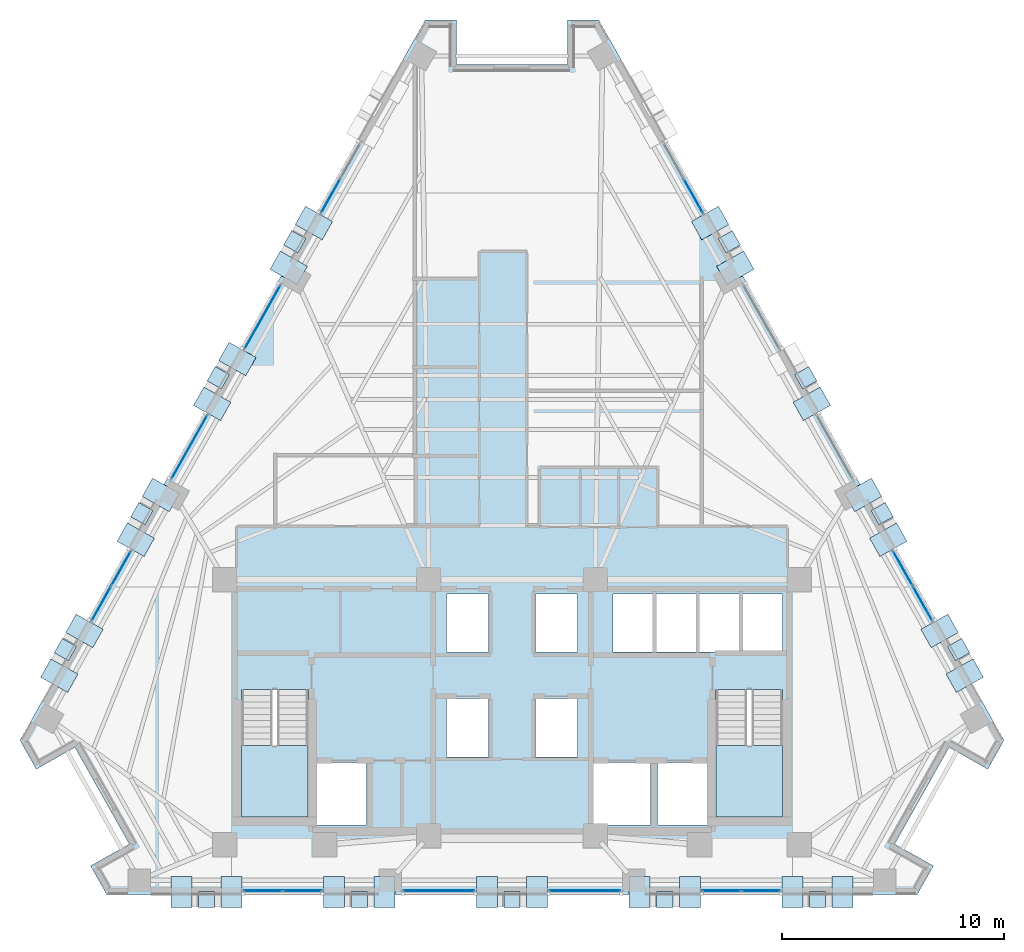
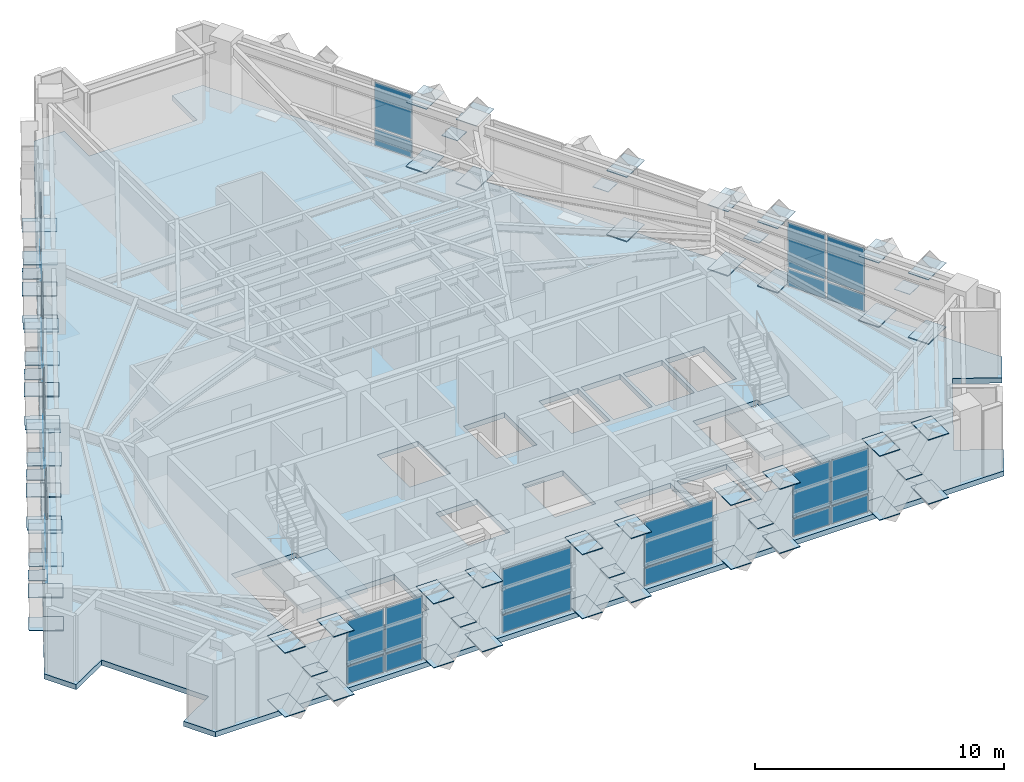
# One storey, part 6 of 14: 91 plates, 3 slabs, 12 elements without a shape of their own.
"""IFC4 building model written with IfcOpenShell, lengths in metres."""

from ifc_helpers import new_model, si_unit, direction, frame, origin, origin_2d, place, context, subcontext, project, spatial, polyline, rectangle, outline, extrude, material, layer, layer_set, type_object, element, aggregate, save


model = new_model("IFC4")

# Units and contexts
model_context = context("Model", 3, precision=1e-05, world=origin(), true_north=direction((0.0, 1.0)))
body_context = subcontext(model_context, "Body", "Model", "MODEL_VIEW")
ifc_project = project(units=[si_unit("LENGTHUNIT", "METRE"), si_unit("AREAUNIT", "SQUARE_METRE"), si_unit("VOLUMEUNIT", "CUBIC_METRE"), si_unit("PLANEANGLEUNIT", "RADIAN"), si_unit("MASSUNIT", "GRAM", prefix="KILO")], contexts=[model_context])

# Site, building, storey
site_placement = place(None, origin())
site = spatial("IfcSite", under=ifc_project, at=site_placement, CompositionType="ELEMENT")
building_placement = place(site_placement, origin())
building = spatial("IfcBuilding", under=site, at=building_placement, Name="Quenlor Broadcast Tower", CompositionType="ELEMENT")
storey_placement = place(building_placement, frame((0.0, 0.0, 144.0)))
storey = spatial("IfcBuildingStorey", under=building, at=storey_placement, Name="L39", CompositionType="ELEMENT", Elevation=144.0)

# Curtain wall, plates
ifc_material_1 = material(Name="Architectural Terracotta and Low-E Glazing", Category="masonry")
curtain_wall_type = type_object("IfcCurtainWallType", Name="Unitised Terracotta Curtain Wall System Z3", PredefinedType="NOTDEFINED", material=ifc_material_1)
curtain_wall_1_placement = place(storey_placement, origin())
curtain_wall_1 = element("IfcCurtainWall", 1, at=curtain_wall_1_placement, inside=storey, type_object=curtain_wall_type, Name="L39 Curtain Wall CW3 (L39-SA-G1)", PredefinedType="NOTDEFINED")
ifc_material_2 = material(Name="Double Glazed Low-E Solar Glass", Category="glass")
ifc_layer_1 = layer(ifc_material_2, 0.028076171875)
ifc_layer_set_1 = layer_set([ifc_layer_1], Name="CW3 Double Glazed Vision Panel 28")
plate_type_1 = type_object("IfcPlateType", Name="CW3 Double Glazed Vision Panel 28", PredefinedType="CURTAIN_PANEL", material=ifc_layer_set_1)
plate_1_placement = place(storey_placement, frame((11.222900390625, -18.824951171875, 0.06982421875), z_axis=(0.0, 0.0, 1.0), x_axis=(-1.0, 0.0, 0.0)))
plate_1 = element("IfcPlate", 2, at=plate_1_placement, type_object=plate_type_1, Name="CW3 panel 1.1", PredefinedType="CURTAIN_PANEL", context=body_context, shape_type="SweptSolid", body=[
    extrude(rectangle(XDim=1.7119140625, YDim=0.028076171875, at=origin_2d()), origin(), (0.0, 0.0, 1.0), 0.844970703125),
])
plate_2_placement = place(storey_placement, frame((11.222900390625, -18.824951171875, 0.98486328125), z_axis=(0.0, 0.0, 1.0), x_axis=(-1.0, 0.0, 0.0)))
plate_2 = element("IfcPlate", 3, at=plate_2_placement, type_object=plate_type_1, Name="CW3 panel 1.2", PredefinedType="CURTAIN_PANEL", context=body_context, shape_type="SweptSolid", body=[
    extrude(rectangle(XDim=1.7119140625, YDim=0.028076171875, at=origin_2d()), origin(), (0.0, 0.0, 1.0), 2.195068359375),
])
plate_3_placement = place(storey_placement, frame((9.44091796875, -18.824951171875, 0.06982421875), z_axis=(0.0, 0.0, 1.0), x_axis=(-1.0, 0.0, 0.0)))
plate_3 = element("IfcPlate", 4, at=plate_3_placement, type_object=plate_type_1, Name="CW3 panel 2.1", PredefinedType="CURTAIN_PANEL", context=body_context, shape_type="SweptSolid", body=[
    extrude(rectangle(XDim=1.7119140625, YDim=0.028076171875, at=origin_2d()), origin(), (0.0, 0.0, 1.0), 0.844970703125),
])
plate_4_placement = place(storey_placement, frame((9.44091796875, -18.824951171875, 0.98486328125), z_axis=(0.0, 0.0, 1.0), x_axis=(-1.0, 0.0, 0.0)))
plate_4 = element("IfcPlate", 5, at=plate_4_placement, type_object=plate_type_1, Name="CW3 panel 2.2", PredefinedType="CURTAIN_PANEL", context=body_context, shape_type="SweptSolid", body=[
    extrude(rectangle(XDim=1.7119140625, YDim=0.028076171875, at=origin_2d()), origin(), (0.0, 0.0, 1.0), 2.195068359375),
])
aggregate(curtain_wall_1, [plate_1, plate_2, plate_3, plate_4])

curtain_wall_2_placement = place(storey_placement, origin())
curtain_wall_2 = element("IfcCurtainWall", 6, at=curtain_wall_2_placement, inside=storey, type_object=curtain_wall_type, Name="L39 Curtain Wall CW3 (L39-SC-G1)", PredefinedType="NOTDEFINED")
plate_5_placement = place(storey_placement, frame((-9.44091796875, -18.824951171875, 0.06982421875), z_axis=(0.0, 0.0, 1.0), x_axis=(-1.0, 0.0, 0.0)))
plate_5 = element("IfcPlate", 7, at=plate_5_placement, type_object=plate_type_1, Name="CW3 panel 1.1", PredefinedType="CURTAIN_PANEL", context=body_context, shape_type="SweptSolid", body=[
    extrude(rectangle(XDim=1.7119140625, YDim=0.028076171875, at=origin_2d()), origin(), (0.0, 0.0, 1.0), 0.844970703125),
])
plate_6_placement = place(storey_placement, frame((-9.44091796875, -18.824951171875, 0.98486328125), z_axis=(0.0, 0.0, 1.0), x_axis=(-1.0, 0.0, 0.0)))
plate_6 = element("IfcPlate", 8, at=plate_6_placement, type_object=plate_type_1, Name="CW3 panel 1.2", PredefinedType="CURTAIN_PANEL", context=body_context, shape_type="SweptSolid", body=[
    extrude(rectangle(XDim=1.7119140625, YDim=0.028076171875, at=origin_2d()), origin(), (0.0, 0.0, 1.0), 2.195068359375),
])
plate_7_placement = place(storey_placement, frame((-11.222900390625, -18.824951171875, 0.06982421875), z_axis=(0.0, 0.0, 1.0), x_axis=(-1.0, 0.0, 0.0)))
plate_7 = element("IfcPlate", 9, at=plate_7_placement, type_object=plate_type_1, Name="CW3 panel 2.1", PredefinedType="CURTAIN_PANEL", context=body_context, shape_type="SweptSolid", body=[
    extrude(rectangle(XDim=1.7119140625, YDim=0.028076171875, at=origin_2d()), origin(), (0.0, 0.0, 1.0), 0.844970703125),
])
plate_8_placement = place(storey_placement, frame((-11.222900390625, -18.824951171875, 0.98486328125), z_axis=(0.0, 0.0, 1.0), x_axis=(-1.0, 0.0, 0.0)))
plate_8 = element("IfcPlate", 10, at=plate_8_placement, type_object=plate_type_1, Name="CW3 panel 2.2", PredefinedType="CURTAIN_PANEL", context=body_context, shape_type="SweptSolid", body=[
    extrude(rectangle(XDim=1.7119140625, YDim=0.028076171875, at=origin_2d()), origin(), (0.0, 0.0, 1.0), 2.195068359375),
])
aggregate(curtain_wall_2, [plate_5, plate_6, plate_7, plate_8])

curtain_wall_3_placement = place(storey_placement, origin())
curtain_wall_3 = element("IfcCurtainWall", 11, at=curtain_wall_3_placement, inside=storey, type_object=curtain_wall_type, Name="L39 Curtain Wall CW3 (L39-S-G1)", PredefinedType="NOTDEFINED")
plate_9_placement = place(storey_placement, frame((3.2939453125, -18.824951171875, 0.06982421875), z_axis=(0.0, 0.0, 1.0), x_axis=(-1.0, 0.0, 0.0)))
plate_9 = element("IfcPlate", 12, at=plate_9_placement, type_object=plate_type_1, Name="CW3 panel 1.1", PredefinedType="CURTAIN_PANEL", context=body_context, shape_type="SweptSolid", body=[
    extrude(rectangle(XDim=3.194091796875, YDim=0.028076171875, at=origin_2d()), origin(), (0.0, 0.0, 1.0), 0.844970703125),
])
plate_10_placement = place(storey_placement, frame((3.2939453125, -18.824951171875, 0.98486328125), z_axis=(0.0, 0.0, 1.0), x_axis=(-1.0, 0.0, 0.0)))
plate_10 = element("IfcPlate", 13, at=plate_10_placement, type_object=plate_type_1, Name="CW3 panel 1.2", PredefinedType="CURTAIN_PANEL", context=body_context, shape_type="SweptSolid", body=[
    extrude(rectangle(XDim=3.194091796875, YDim=0.028076171875, at=origin_2d()), origin(), (0.0, 0.0, 1.0), 2.195068359375),
])
aggregate(curtain_wall_3, [plate_9, plate_10])

curtain_wall_4_placement = place(storey_placement, origin())
curtain_wall_4 = element("IfcCurtainWall", 14, at=curtain_wall_4_placement, inside=storey, type_object=curtain_wall_type, Name="L39 Curtain Wall CW3 (L39-S-G2)", PredefinedType="NOTDEFINED")
plate_11_placement = place(storey_placement, frame((-3.2939453125, -18.824951171875, 0.06982421875), z_axis=(0.0, 0.0, 1.0), x_axis=(-1.0, 0.0, 0.0)))
plate_11 = element("IfcPlate", 15, at=plate_11_placement, type_object=plate_type_1, Name="CW3 panel 1.1", PredefinedType="CURTAIN_PANEL", context=body_context, shape_type="SweptSolid", body=[
    extrude(rectangle(XDim=3.194091796875, YDim=0.028076171875, at=origin_2d()), origin(), (0.0, 0.0, 1.0), 0.844970703125),
])
plate_12_placement = place(storey_placement, frame((-3.2939453125, -18.824951171875, 0.98486328125), z_axis=(0.0, 0.0, 1.0), x_axis=(-1.0, 0.0, 0.0)))
plate_12 = element("IfcPlate", 16, at=plate_12_placement, type_object=plate_type_1, Name="CW3 panel 1.2", PredefinedType="CURTAIN_PANEL", context=body_context, shape_type="SweptSolid", body=[
    extrude(rectangle(XDim=3.194091796875, YDim=0.028076171875, at=origin_2d()), origin(), (0.0, 0.0, 1.0), 2.195068359375),
])
aggregate(curtain_wall_4, [plate_11, plate_12])

curtain_wall_5_placement = place(storey_placement, origin())
curtain_wall_5 = element("IfcCurtainWall", 17, at=curtain_wall_5_placement, inside=storey, type_object=curtain_wall_type, Name="L39 Curtain Wall CW3 (L39-NEA-G1)", PredefinedType="NOTDEFINED")
plate_13_placement = place(storey_placement, frame((8.174560546875, 12.5107421875, 0.06982421875), z_axis=(0.0, 0.0, 1.0), x_axis=(0.490270139949, -0.871570530637, 0.0)))
plate_13 = element("IfcPlate", 18, at=plate_13_placement, type_object=plate_type_1, Name="CW3 panel 2.1", PredefinedType="CURTAIN_PANEL", context=body_context, shape_type="SweptSolid", body=[
    extrude(rectangle(XDim=1.761962890625, YDim=0.028076171875, at=origin_2d()), origin(), (0.0, 0.0, 1.0), 0.844970703125),
])
plate_14_placement = place(storey_placement, frame((8.174560546875, 12.5107421875, 0.98486328125), z_axis=(0.0, 0.0, 1.0), x_axis=(0.490270139949, -0.871570530637, 0.0)))
plate_14 = element("IfcPlate", 19, at=plate_14_placement, type_object=plate_type_1, Name="CW3 panel 2.2", PredefinedType="CURTAIN_PANEL", context=body_context, shape_type="SweptSolid", body=[
    extrude(rectangle(XDim=1.761962890625, YDim=0.028076171875, at=origin_2d()), origin(), (0.0, 0.0, 1.0), 2.195068359375),
])
aggregate(curtain_wall_5, [plate_13, plate_14])

curtain_wall_6_placement = place(storey_placement, origin())
curtain_wall_6 = element("IfcCurtainWall", 20, at=curtain_wall_6_placement, inside=storey, type_object=curtain_wall_type, Name="L39 Curtain Wall CW3 (L39-NEC-G1)", PredefinedType="NOTDEFINED")
plate_15_placement = place(storey_placement, frame((17.62060546875, -4.2822265625, 0.06982421875), z_axis=(0.0, 0.0, 1.0), x_axis=(0.490258696743, -0.871576967495, 0.0)))
plate_15 = element("IfcPlate", 21, at=plate_15_placement, type_object=plate_type_1, Name="CW3 panel 1.1", PredefinedType="CURTAIN_PANEL", context=body_context, shape_type="SweptSolid", body=[
    extrude(rectangle(XDim=1.761962890625, YDim=0.028076171875, at=origin_2d()), origin(), (0.0, 0.0, 1.0), 0.844970703125),
])
plate_16_placement = place(storey_placement, frame((17.62060546875, -4.2822265625, 0.98486328125), z_axis=(0.0, 0.0, 1.0), x_axis=(0.490258696743, -0.871576967495, 0.0)))
plate_16 = element("IfcPlate", 22, at=plate_16_placement, type_object=plate_type_1, Name="CW3 panel 1.2", PredefinedType="CURTAIN_PANEL", context=body_context, shape_type="SweptSolid", body=[
    extrude(rectangle(XDim=1.761962890625, YDim=0.028076171875, at=origin_2d()), origin(), (0.0, 0.0, 1.0), 2.195068359375),
])
plate_17_placement = place(storey_placement, frame((18.518798828125, -5.879150390625, 0.06982421875), z_axis=(0.0, 0.0, 1.0), x_axis=(0.490258696743, -0.871576967495, 0.0)))
plate_17 = element("IfcPlate", 23, at=plate_17_placement, type_object=plate_type_1, Name="CW3 panel 2.1", PredefinedType="CURTAIN_PANEL", context=body_context, shape_type="SweptSolid", body=[
    extrude(rectangle(XDim=1.761962890625, YDim=0.028076171875, at=origin_2d()), origin(), (0.0, 0.0, 1.0), 0.844970703125),
])
plate_18_placement = place(storey_placement, frame((18.518798828125, -5.879150390625, 0.98486328125), z_axis=(0.0, 0.0, 1.0), x_axis=(0.490258696743, -0.871576967495, 0.0)))
plate_18 = element("IfcPlate", 24, at=plate_18_placement, type_object=plate_type_1, Name="CW3 panel 2.2", PredefinedType="CURTAIN_PANEL", context=body_context, shape_type="SweptSolid", body=[
    extrude(rectangle(XDim=1.761962890625, YDim=0.028076171875, at=origin_2d()), origin(), (0.0, 0.0, 1.0), 2.195068359375),
])
aggregate(curtain_wall_6, [plate_15, plate_16, plate_17, plate_18])

curtain_wall_7_placement = place(storey_placement, origin())
curtain_wall_7 = element("IfcCurtainWall", 25, at=curtain_wall_7_placement, inside=storey, type_object=curtain_wall_type, Name="L39 Curtain Wall CW3 (L39-NWA-G1)", PredefinedType="NOTDEFINED")
plate_19_placement = place(storey_placement, frame((-18.518798828125, -5.879150390625, 0.06982421875), z_axis=(0.0, 0.0, 1.0), x_axis=(0.490258696743, 0.871576967495, 0.0)))
plate_19 = element("IfcPlate", 26, at=plate_19_placement, type_object=plate_type_1, Name="CW3 panel 1.1", PredefinedType="CURTAIN_PANEL", context=body_context, shape_type="SweptSolid", body=[
    extrude(rectangle(XDim=1.761962890625, YDim=0.028076171875, at=origin_2d()), origin(), (0.0, 0.0, 1.0), 0.844970703125),
])
plate_20_placement = place(storey_placement, frame((-18.518798828125, -5.879150390625, 0.98486328125), z_axis=(0.0, 0.0, 1.0), x_axis=(0.490258696743, 0.871576967495, 0.0)))
plate_20 = element("IfcPlate", 27, at=plate_20_placement, type_object=plate_type_1, Name="CW3 panel 1.2", PredefinedType="CURTAIN_PANEL", context=body_context, shape_type="SweptSolid", body=[
    extrude(rectangle(XDim=1.761962890625, YDim=0.028076171875, at=origin_2d()), origin(), (0.0, 0.0, 1.0), 2.195068359375),
])
plate_21_placement = place(storey_placement, frame((-17.62060546875, -4.2822265625, 0.06982421875), z_axis=(0.0, 0.0, 1.0), x_axis=(0.490258696743, 0.871576967495, 0.0)))
plate_21 = element("IfcPlate", 28, at=plate_21_placement, type_object=plate_type_1, Name="CW3 panel 2.1", PredefinedType="CURTAIN_PANEL", context=body_context, shape_type="SweptSolid", body=[
    extrude(rectangle(XDim=1.761962890625, YDim=0.028076171875, at=origin_2d()), origin(), (0.0, 0.0, 1.0), 0.844970703125),
])
plate_22_placement = place(storey_placement, frame((-17.62060546875, -4.2822265625, 0.98486328125), z_axis=(0.0, 0.0, 1.0), x_axis=(0.490258696743, 0.871576967495, 0.0)))
plate_22 = element("IfcPlate", 29, at=plate_22_placement, type_object=plate_type_1, Name="CW3 panel 2.2", PredefinedType="CURTAIN_PANEL", context=body_context, shape_type="SweptSolid", body=[
    extrude(rectangle(XDim=1.761962890625, YDim=0.028076171875, at=origin_2d()), origin(), (0.0, 0.0, 1.0), 2.195068359375),
])
aggregate(curtain_wall_7, [plate_19, plate_20, plate_21, plate_22])

curtain_wall_8_placement = place(storey_placement, origin())
curtain_wall_8 = element("IfcCurtainWall", 30, at=curtain_wall_8_placement, inside=storey, type_object=curtain_wall_type, Name="L39 Curtain Wall CW3 (L39-NWC-G1)", PredefinedType="NOTDEFINED")
plate_23_placement = place(storey_placement, frame((-8.174560546875, 12.5107421875, 0.06982421875), z_axis=(0.0, 0.0, 1.0), x_axis=(0.490270139949, 0.871570530637, 0.0)))
plate_23 = element("IfcPlate", 31, at=plate_23_placement, type_object=plate_type_1, Name="CW3 panel 1.1", PredefinedType="CURTAIN_PANEL", context=body_context, shape_type="SweptSolid", body=[
    extrude(rectangle(XDim=1.761962890625, YDim=0.028076171875, at=origin_2d()), origin(), (0.0, 0.0, 1.0), 0.844970703125),
])
plate_24_placement = place(storey_placement, frame((-8.174560546875, 12.5107421875, 0.98486328125), z_axis=(0.0, 0.0, 1.0), x_axis=(0.490270139949, 0.871570530637, 0.0)))
plate_24 = element("IfcPlate", 32, at=plate_24_placement, type_object=plate_type_1, Name="CW3 panel 1.2", PredefinedType="CURTAIN_PANEL", context=body_context, shape_type="SweptSolid", body=[
    extrude(rectangle(XDim=1.761962890625, YDim=0.028076171875, at=origin_2d()), origin(), (0.0, 0.0, 1.0), 2.195068359375),
])
aggregate(curtain_wall_8, [plate_23, plate_24])

curtain_wall_9_placement = place(storey_placement, origin())
curtain_wall_9 = element("IfcCurtainWall", 33, at=curtain_wall_9_placement, inside=storey, type_object=curtain_wall_type, Name="L39 Curtain Wall CW3 (L39-NW-G1)", PredefinedType="NOTDEFINED")
plate_25_placement = place(storey_placement, frame((-14.544677734375, 1.18603515625, 0.06982421875), z_axis=(0.0, 0.0, 1.0), x_axis=(0.490268180048, 0.871571633105, 0.0)))
plate_25 = element("IfcPlate", 34, at=plate_25_placement, type_object=plate_type_1, Name="CW3 panel 1.1", PredefinedType="CURTAIN_PANEL", context=body_context, shape_type="SweptSolid", body=[
    extrude(rectangle(XDim=3.2802734375, YDim=0.028076171875, at=origin_2d()), origin(), (0.0, 0.0, 1.0), 0.844970703125),
])
plate_26_placement = place(storey_placement, frame((-14.544677734375, 1.18603515625, 0.98486328125), z_axis=(0.0, 0.0, 1.0), x_axis=(0.490268180048, 0.871571633105, 0.0)))
plate_26 = element("IfcPlate", 35, at=plate_26_placement, type_object=plate_type_1, Name="CW3 panel 1.2", PredefinedType="CURTAIN_PANEL", context=body_context, shape_type="SweptSolid", body=[
    extrude(rectangle(XDim=3.2802734375, YDim=0.028076171875, at=origin_2d()), origin(), (0.0, 0.0, 1.0), 2.195068359375),
])
aggregate(curtain_wall_9, [plate_25, plate_26])

curtain_wall_10_placement = place(storey_placement, origin())
curtain_wall_10 = element("IfcCurtainWall", 36, at=curtain_wall_10_placement, inside=storey, type_object=curtain_wall_type, Name="L39 Curtain Wall CW3 (L39-NW-G2)", PredefinedType="NOTDEFINED")
plate_27_placement = place(storey_placement, frame((-11.250244140625, 7.04248046875, 0.06982421875), z_axis=(0.0, 0.0, 1.0), x_axis=(0.490255687418, 0.871578660222, 0.0)))
plate_27 = element("IfcPlate", 37, at=plate_27_placement, type_object=plate_type_1, Name="CW3 panel 1.1", PredefinedType="CURTAIN_PANEL", context=body_context, shape_type="SweptSolid", body=[
    extrude(rectangle(XDim=3.280517578125, YDim=0.028076171875, at=origin_2d()), origin(), (0.0, 0.0, 1.0), 0.844970703125),
])
plate_28_placement = place(storey_placement, frame((-11.250244140625, 7.04248046875, 0.98486328125), z_axis=(0.0, 0.0, 1.0), x_axis=(0.490255687418, 0.871578660222, 0.0)))
plate_28 = element("IfcPlate", 38, at=plate_28_placement, type_object=plate_type_1, Name="CW3 panel 1.2", PredefinedType="CURTAIN_PANEL", context=body_context, shape_type="SweptSolid", body=[
    extrude(rectangle(XDim=3.280517578125, YDim=0.028076171875, at=origin_2d()), origin(), (0.0, 0.0, 1.0), 2.195068359375),
])
aggregate(curtain_wall_10, [plate_27, plate_28])

# Plates
ifc_material_3 = material(Name="Steel S355", Category="steel")
ifc_layer_2 = layer(ifc_material_3, 0.028076171875)
ifc_layer_set_2 = layer_set([ifc_layer_2], Name="Perimeter Lattice Node Steel S355 Cap Plate 740x740x28")
plate_type_2 = type_object("IfcPlateType", Name="Perimeter Lattice Node Steel S355 Cap Plate 740x740x28", PredefinedType="USERDEFINED", material=ifc_layer_set_2)
for number, where, z_axis, x_axis, name in (
    (39, (13.77587890625, -19.219970703125, 1.61572265625), (0.0, 0.0, 1.0), (-1.0, 0.0, 0.0), "L39 Diamond Lattice Crossing Node S-C1"),
    (40, (6.887939453125, -19.219970703125, 1.61572265625), (0.0, 0.0, 1.0), (-1.0, 0.0, 0.0), "L39 Diamond Lattice Crossing Node S-C2"),
    (41, (0.0, -19.219970703125, 1.61572265625), (0.0, 0.0, 1.0), (-1.0, 0.0, 0.0), "L39 Diamond Lattice Crossing Node S-C3"),
    (42, (-6.887939453125, -19.219970703125, 1.61572265625), (0.0, 0.0, 1.0), (-1.0, 0.0, 0.0), "L39 Diamond Lattice Crossing Node S-C4"),
    (43, (-13.77587890625, -19.219970703125, 1.61572265625), (0.0, 0.0, 1.0), (-1.0, 0.0, 0.0), "L39 Diamond Lattice Crossing Node S-C5"),
    (44, (9.793701171875, 10.437744140625, 1.61572265625), (0.0, 0.0, 1.0), (0.490295412055, -0.871556314255, 0.0), "L39 Diamond Lattice Crossing Node NE-C2"),
    (45, (13.24169921875, 4.307861328125, 1.61572265625), (0.0, 0.0, 1.0), (0.490295412055, -0.871556314255, 0.0), "L39 Diamond Lattice Crossing Node NE-C3"),
    (46, (16.689697265625, -1.822021484375, 1.61572265625), (0.0, 0.0, 1.0), (0.490295412055, -0.871556314255, 0.0), "L39 Diamond Lattice Crossing Node NE-C4"),
    (47, (20.137939453125, -7.951904296875, 1.61572265625), (0.0, 0.0, 1.0), (0.490295412055, -0.871556314255, 0.0), "L39 Diamond Lattice Crossing Node NE-C5"),
    (48, (-20.137939453125, -7.951904296875, 1.61572265625), (0.0, 0.0, 1.0), (0.490295412055, 0.871556314255, 0.0), "L39 Diamond Lattice Crossing Node NW-C1"),
    (49, (-16.689697265625, -1.822021484375, 1.61572265625), (0.0, 0.0, 1.0), (0.490295412055, 0.871556314255, 0.0), "L39 Diamond Lattice Crossing Node NW-C2"),
    (50, (-13.24169921875, 4.307861328125, 1.61572265625), (0.0, 0.0, 1.0), (0.490295412055, 0.871556314255, 0.0), "L39 Diamond Lattice Crossing Node NW-C3"),
    (51, (-9.793701171875, 10.437744140625, 1.61572265625), (0.0, 0.0, 1.0), (0.490295412055, 0.871556314255, 0.0), "L39 Diamond Lattice Crossing Node NW-C4"),
):
    element("IfcPlate", number, at=place(storey_placement, frame(where, z_axis=z_axis, x_axis=x_axis)), inside=storey, type_object=plate_type_2, Name=name, ObjectType="CAP PLATE", PredefinedType="USERDEFINED", context=body_context, shape_type="SweptSolid", body=[
        extrude(rectangle(XDim=0.739990234375, YDim=0.739990234375, at=origin_2d()), origin(), (0.0, 0.0, 1.0), 0.028076171875),
    ])

# Stair, slab
ifc_material_4 = material(Name="Precast concrete C40/50", Category="concrete")
stair_type = type_object("IfcStairType", Name="Precast Concrete C40/50 Dogleg Stair H350", PredefinedType="HALF_TURN_STAIR", material=ifc_material_4)
stair_1_placement = place(storey_placement, origin())
stair_1 = element("IfcStair", 52, at=stair_1_placement, inside=storey, type_object=stair_type, Name="L39 West Core Fire-Isolated Exit Stair ST-1", PredefinedType="HALF_TURN_STAIR")
ifc_material_5 = material(Name="Precast concrete C40/50", Category="concrete")
ifc_layer_3 = layer(ifc_material_5, 0.199951171875)
ifc_layer_set_3 = layer_set([ifc_layer_3], Name="Precast Concrete C40/50 Stair Landing Slab 200")
slab_type_1 = type_object("IfcSlabType", Name="Precast Concrete C40/50 Stair Landing Slab 200", PredefinedType="LANDING", material=ifc_layer_set_3)
slab_1_placement = place(storey_placement, frame((0.0, 0.0, 1.550048828125)))
slab_1 = element("IfcSlab", 53, at=slab_1_placement, type_object=slab_type_1, Name="ST-1 landing 1", PredefinedType="LANDING", context=body_context, shape_type="SweptSolid", body=[
    extrude(outline(polyline([(-12.199951171875, -12.27001953125), (-12.199951171875, -15.5), (-9.199951171875, -15.5), (-9.199951171875, -12.27001953125), (-12.199951171875, -12.27001953125)])), origin(), (0.0, 0.0, 1.0), 0.199951171875),
])
aggregate(stair_1, [slab_1])

stair_2_placement = place(storey_placement, origin())
stair_2 = element("IfcStair", 54, at=stair_2_placement, inside=storey, type_object=stair_type, Name="L39 East Core Fire-Isolated Exit Stair ST-2", PredefinedType="HALF_TURN_STAIR")
slab_2_placement = place(storey_placement, frame((0.0, 0.0, 1.550048828125)))
slab_2 = element("IfcSlab", 55, at=slab_2_placement, type_object=slab_type_1, Name="ST-2 landing 1", PredefinedType="LANDING", context=body_context, shape_type="SweptSolid", body=[
    extrude(outline(polyline([(9.199951171875, -12.27001953125), (9.199951171875, -15.5), (12.199951171875, -15.5), (12.199951171875, -12.27001953125), (9.199951171875, -12.27001953125)])), origin(), (0.0, 0.0, 1.0), 0.199951171875),
])
aggregate(stair_2, [slab_2])

# Slab
ifc_material_6 = material(Name="Concrete C40/50", Category="concrete")
ifc_layer_4 = layer(ifc_material_6, 0.25)
ifc_layer_set_4 = layer_set([ifc_layer_4], Name="Tower Composite Concrete C40/50 Slab 250")
slab_type_2 = type_object("IfcSlabType", Name="Tower Composite Concrete C40/50 Slab 250", PredefinedType="FLOOR", material=ifc_layer_set_4)
slab_3_placement = place(storey_placement, frame((0.0, 0.0, -0.25)))
element("IfcSlab", 56, at=slab_3_placement, inside=storey, type_object=slab_type_2, Name="L39 Structural Floor Slab", PredefinedType="FLOOR", context=body_context, shape_type="SweptSolid", body=[
    extrude(outline(polyline([(18.27001953125, -19.0), (19.001708984375, -17.698974609375), (17.2587890625, -16.718505859375), (19.7099609375, -12.360595703125), (21.453125, -13.341064453125), (22.18505859375, -12.0400390625), (3.9150390625, 20.43994140625), (2.5, 20.43994140625), (2.5, 18.43994140625), (-2.5, 18.43994140625), (-2.5, 20.43994140625), (-3.9150390625, 20.43994140625), (-22.18505859375, -12.0400390625), (-21.453125, -13.341064453125), (-19.7099609375, -12.360595703125), (-17.2587890625, -16.718505859375), (-19.001708984375, -17.698974609375), (-18.27001953125, -19.0), (18.27001953125, -19.0)]), holes=[polyline([(-12.199951171875, -9.758056640625), (-12.199951171875, -15.5), (-9.199951171875, -15.5), (-9.199951171875, -9.758056640625), (-12.199951171875, -9.758056640625)]), polyline([(9.199951171875, -9.758056640625), (9.199951171875, -15.5), (12.199951171875, -15.5), (12.199951171875, -9.758056640625), (9.199951171875, -9.758056640625)]), polyline([(-2.949951171875, -8.050048828125), (-1.050048828125, -8.050048828125), (-1.050048828125, -5.449951171875), (-2.949951171875, -5.449951171875), (-2.949951171875, -8.050048828125)]), polyline([(1.050048828125, -8.050048828125), (2.949951171875, -8.050048828125), (2.949951171875, -5.449951171875), (1.050048828125, -5.449951171875), (1.050048828125, -8.050048828125)]), polyline([(-2.949951171875, -12.800048828125), (-1.050048828125, -12.800048828125), (-1.050048828125, -10.14990234375), (-2.949951171875, -10.14990234375), (-2.949951171875, -12.800048828125)]), polyline([(1.050048828125, -12.800048828125), (2.949951171875, -12.800048828125), (2.949951171875, -10.14990234375), (1.050048828125, -10.14990234375), (1.050048828125, -12.800048828125)]), polyline([(4.550048828125, -8.050048828125), (6.35009765625, -8.050048828125), (6.35009765625, -5.449951171875), (4.550048828125, -5.449951171875), (4.550048828125, -8.050048828125)]), polyline([(6.5, -8.050048828125), (8.300048828125, -8.050048828125), (8.300048828125, -5.449951171875), (6.5, -5.449951171875), (6.5, -8.050048828125)]), polyline([(8.449951171875, -8.050048828125), (10.25, -8.050048828125), (10.25, -5.449951171875), (8.449951171875, -5.449951171875), (8.449951171875, -8.050048828125)]), polyline([(10.39990234375, -8.050048828125), (12.199951171875, -8.050048828125), (12.199951171875, -5.449951171875), (10.39990234375, -5.449951171875), (10.39990234375, -8.050048828125)]), polyline([(-8.85009765625, -15.85009765625), (-6.550048828125, -15.85009765625), (-6.550048828125, -13.050048828125), (-8.85009765625, -13.050048828125), (-8.85009765625, -15.85009765625)]), polyline([(6.550048828125, -15.85009765625), (8.85009765625, -15.85009765625), (8.85009765625, -13.050048828125), (6.550048828125, -13.050048828125), (6.550048828125, -15.85009765625)]), polyline([(3.64990234375, -15.85009765625), (6.25, -15.85009765625), (6.25, -13.050048828125), (3.64990234375, -13.050048828125), (3.64990234375, -15.85009765625)])]), origin(), (0.0, 0.0, 1.0), 0.25),
])

# Plates
ifc_material_7 = material(Name="Steel S355", Category="steel")
ifc_layer_5 = layer(ifc_material_7, 0.035888671875)
ifc_layer_set_5 = layer_set([ifc_layer_5], Name="Transfer Truss Steel S355 Gusset Node Plate 1400x950x36")
plate_type_3 = type_object("IfcPlateType", Name="Transfer Truss Steel S355 Gusset Node Plate 1400x950x36", PredefinedType="SHEET", material=ifc_layer_set_5)
for number, where, z_axis, x_axis, name in (
    (57, (14.91015625, -18.885009765625, 0.0419921875), (0.0, 0.0, 1.0), (0.0, -1.0, 0.0), "L39 Lattice Tie Gusset Node S-B1"),
    (58, (12.641845703125, -18.885009765625, 3.18212890625), (0.0, 0.0, 1.0), (0.0, -1.0, 0.0), "L39 Lattice Tie Gusset Node S-T2"),
    (59, (12.641845703125, -18.885009765625, 0.0419921875), (0.0, 0.0, 1.0), (0.0, -1.0, 0.0), "L39 Lattice Tie Gusset Node S-B2"),
    (60, (14.91015625, -18.885009765625, 3.18212890625), (0.0, 0.0, 1.0), (0.0, -1.0, 0.0), "L39 Lattice Tie Gusset Node S-T1"),
    (61, (8.022216796875, -18.885009765625, 0.0419921875), (0.0, 0.0, 1.0), (0.0, -1.0, 0.0), "L39 Lattice Tie Gusset Node S-B4"),
    (62, (5.75390625, -18.885009765625, 3.18212890625), (0.0, 0.0, 1.0), (0.0, -1.0, 0.0), "L39 Lattice Tie Gusset Node S-T5"),
    (63, (5.75390625, -18.885009765625, 0.0419921875), (0.0, 0.0, 1.0), (0.0, -1.0, 0.0), "L39 Lattice Tie Gusset Node S-B5"),
    (64, (8.022216796875, -18.885009765625, 3.18212890625), (0.0, 0.0, 1.0), (0.0, -1.0, 0.0), "L39 Lattice Tie Gusset Node S-T4"),
    (65, (1.13427734375, -18.885009765625, 0.0419921875), (0.0, 0.0, 1.0), (0.0, -1.0, 0.0), "L39 Lattice Tie Gusset Node S-B7"),
    (66, (-1.13427734375, -18.885009765625, 3.18212890625), (0.0, 0.0, 1.0), (0.0, -1.0, 0.0), "L39 Lattice Tie Gusset Node S-T8"),
    (67, (-1.13427734375, -18.885009765625, 0.0419921875), (0.0, 0.0, 1.0), (0.0, -1.0, 0.0), "L39 Lattice Tie Gusset Node S-B8"),
    (68, (1.13427734375, -18.885009765625, 3.18212890625), (0.0, 0.0, 1.0), (0.0, -1.0, 0.0), "L39 Lattice Tie Gusset Node S-T7"),
    (69, (-5.75390625, -18.885009765625, 0.0419921875), (0.0, 0.0, 1.0), (0.0, -1.0, 0.0), "L39 Lattice Tie Gusset Node S-B10"),
    (70, (-8.022216796875, -18.885009765625, 3.18212890625), (0.0, 0.0, 1.0), (0.0, -1.0, 0.0), "L39 Lattice Tie Gusset Node S-T11"),
    (71, (-8.022216796875, -18.885009765625, 0.0419921875), (0.0, 0.0, 1.0), (0.0, -1.0, 0.0), "L39 Lattice Tie Gusset Node S-B11"),
    (72, (-5.75390625, -18.885009765625, 3.18212890625), (0.0, 0.0, 1.0), (0.0, -1.0, 0.0), "L39 Lattice Tie Gusset Node S-T10"),
    (73, (-12.641845703125, -18.885009765625, 0.0419921875), (0.0, 0.0, 1.0), (0.0, -1.0, 0.0), "L39 Lattice Tie Gusset Node S-B13"),
    (74, (-14.91015625, -18.885009765625, 3.18212890625), (0.0, 0.0, 1.0), (0.0, -1.0, 0.0), "L39 Lattice Tie Gusset Node S-T14"),
    (75, (-14.91015625, -18.885009765625, 0.0419921875), (0.0, 0.0, 1.0), (0.0, -1.0, 0.0), "L39 Lattice Tie Gusset Node S-B14"),
    (76, (-12.641845703125, -18.885009765625, 3.18212890625), (0.0, 0.0, 1.0), (0.0, -1.0, 0.0), "L39 Lattice Tie Gusset Node S-T13"),
    (77, (8.933837890625, 11.282958984375, 0.0419921875), (0.0, 0.0, 1.0), (0.871556314255, 0.490295412055, 0.0), "L39 Lattice Tie Gusset Node NE-B4"),
    (78, (10.069580078125, 9.26416015625, 3.18212890625), (0.0, 0.0, 1.0), (0.871556314255, 0.490295412055, 0.0), "L39 Lattice Tie Gusset Node NE-T5"),
    (79, (10.069580078125, 9.26416015625, 0.0419921875), (0.0, 0.0, 1.0), (0.871556314255, 0.490295412055, 0.0), "L39 Lattice Tie Gusset Node NE-B5"),
    (80, (8.933837890625, 11.282958984375, 3.18212890625), (0.0, 0.0, 1.0), (0.871556314255, 0.490295412055, 0.0), "L39 Lattice Tie Gusset Node NE-T4"),
    (81, (13.517578125, 3.13427734375, 3.18212890625), (0.0, 0.0, 1.0), (0.871556314255, 0.490295412055, 0.0), "L39 Lattice Tie Gusset Node NE-T8"),
    (82, (13.517578125, 3.13427734375, 0.0419921875), (0.0, 0.0, 1.0), (0.871556314255, 0.490295412055, 0.0), "L39 Lattice Tie Gusset Node NE-B8"),
    (83, (15.830078125, -0.976806640625, 0.0419921875), (0.0, 0.0, 1.0), (0.871556314255, 0.490295412055, 0.0), "L39 Lattice Tie Gusset Node NE-B10"),
    (84, (16.9658203125, -2.99560546875, 3.18212890625), (0.0, 0.0, 1.0), (0.871556314255, 0.490295412055, 0.0), "L39 Lattice Tie Gusset Node NE-T11"),
    (85, (16.9658203125, -2.99560546875, 0.0419921875), (0.0, 0.0, 1.0), (0.871556314255, 0.490295412055, 0.0), "L39 Lattice Tie Gusset Node NE-B11"),
    (86, (15.830078125, -0.976806640625, 3.18212890625), (0.0, 0.0, 1.0), (0.871556314255, 0.490295412055, 0.0), "L39 Lattice Tie Gusset Node NE-T10"),
    (87, (19.2783203125, -7.10693359375, 0.0419921875), (0.0, 0.0, 1.0), (0.871556314255, 0.490295412055, 0.0), "L39 Lattice Tie Gusset Node NE-B13"),
    (88, (20.413818359375, -9.125732421875, 3.18212890625), (0.0, 0.0, 1.0), (0.871556314255, 0.490295412055, 0.0), "L39 Lattice Tie Gusset Node NE-T14"),
    (89, (20.413818359375, -9.125732421875, 0.0419921875), (0.0, 0.0, 1.0), (0.871556314255, 0.490295412055, 0.0), "L39 Lattice Tie Gusset Node NE-B14"),
    (90, (19.2783203125, -7.10693359375, 3.18212890625), (0.0, 0.0, 1.0), (0.871556314255, 0.490295412055, 0.0), "L39 Lattice Tie Gusset Node NE-T13"),
    (91, (-20.413818359375, -9.125732421875, 0.0419921875), (0.0, 0.0, 1.0), (-0.871556314255, 0.490295412055, 0.0), "L39 Lattice Tie Gusset Node NW-B1"),
    (92, (-19.2783203125, -7.10693359375, 3.18212890625), (0.0, 0.0, 1.0), (-0.871556314255, 0.490295412055, 0.0), "L39 Lattice Tie Gusset Node NW-T2"),
    (93, (-19.2783203125, -7.10693359375, 0.0419921875), (0.0, 0.0, 1.0), (-0.871556314255, 0.490295412055, 0.0), "L39 Lattice Tie Gusset Node NW-B2"),
    (94, (-20.413818359375, -9.125732421875, 3.18212890625), (0.0, 0.0, 1.0), (-0.871556314255, 0.490295412055, 0.0), "L39 Lattice Tie Gusset Node NW-T1"),
    (95, (-16.9658203125, -2.99560546875, 0.0419921875), (0.0, 0.0, 1.0), (-0.871556314255, 0.490295412055, 0.0), "L39 Lattice Tie Gusset Node NW-B4"),
    (96, (-15.830078125, -0.976806640625, 3.18212890625), (0.0, 0.0, 1.0), (-0.871556314255, 0.490295412055, 0.0), "L39 Lattice Tie Gusset Node NW-T5"),
    (97, (-15.830078125, -0.976806640625, 0.0419921875), (0.0, 0.0, 1.0), (-0.871556314255, 0.490295412055, 0.0), "L39 Lattice Tie Gusset Node NW-B5"),
    (98, (-16.9658203125, -2.99560546875, 3.18212890625), (0.0, 0.0, 1.0), (-0.871556314255, 0.490295412055, 0.0), "L39 Lattice Tie Gusset Node NW-T4"),
    (99, (-13.517578125, 3.13427734375, 0.0419921875), (0.0, 0.0, 1.0), (-0.871556314255, 0.490295412055, 0.0), "L39 Lattice Tie Gusset Node NW-B7"),
    (100, (-12.382080078125, 5.153076171875, 3.18212890625), (0.0, 0.0, 1.0), (-0.871556314255, 0.490295412055, 0.0), "L39 Lattice Tie Gusset Node NW-T8"),
    (101, (-12.382080078125, 5.153076171875, 0.0419921875), (0.0, 0.0, 1.0), (-0.871556314255, 0.490295412055, 0.0), "L39 Lattice Tie Gusset Node NW-B8"),
    (102, (-13.517578125, 3.13427734375, 3.18212890625), (0.0, 0.0, 1.0), (-0.871556314255, 0.490295412055, 0.0), "L39 Lattice Tie Gusset Node NW-T7"),
    (103, (-10.069580078125, 9.26416015625, 0.0419921875), (0.0, 0.0, 1.0), (-0.871556314255, 0.490295412055, 0.0), "L39 Lattice Tie Gusset Node NW-B10"),
    (104, (-8.933837890625, 11.282958984375, 3.18212890625), (0.0, 0.0, 1.0), (-0.871556314255, 0.490295412055, 0.0), "L39 Lattice Tie Gusset Node NW-T11"),
    (105, (-8.933837890625, 11.282958984375, 0.0419921875), (0.0, 0.0, 1.0), (-0.871556314255, 0.490295412055, 0.0), "L39 Lattice Tie Gusset Node NW-B11"),
    (106, (-10.069580078125, 9.26416015625, 3.18212890625), (0.0, 0.0, 1.0), (-0.871556314255, 0.490295412055, 0.0), "L39 Lattice Tie Gusset Node NW-T10"),
):
    element("IfcPlate", number, at=place(storey_placement, frame(where, z_axis=z_axis, x_axis=x_axis)), inside=storey, type_object=plate_type_3, Name=name, PredefinedType="SHEET", context=body_context, shape_type="SweptSolid", body=[
        extrude(rectangle(XDim=1.39990234375, YDim=0.949951171875, at=origin_2d()), origin(), (0.0, 0.0, 1.0), 0.035888671875),
    ])

save(model, "model.ifc")
